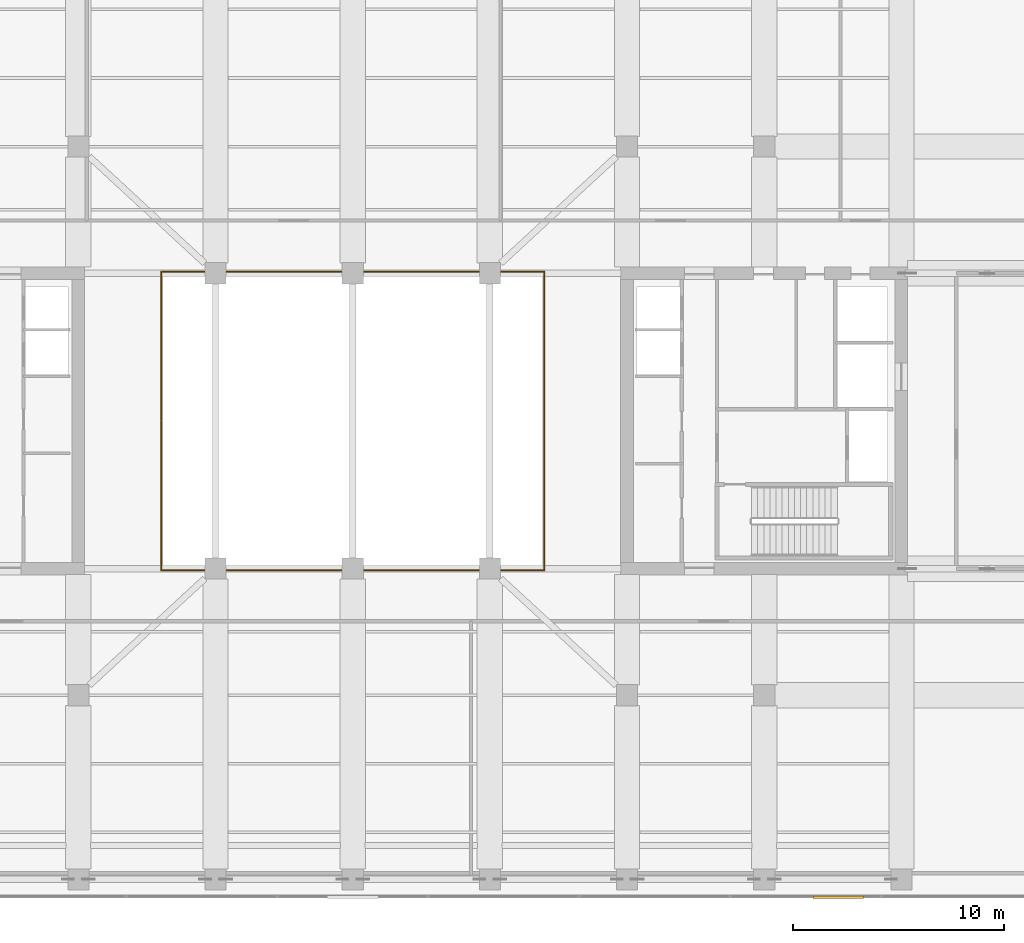
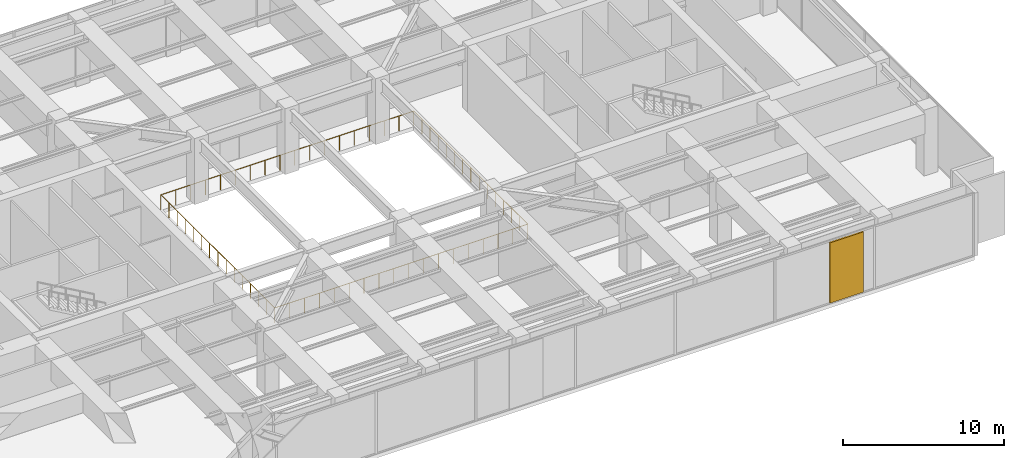
# One storey, part 26 of 28: 2 railings, 1 shading device.
"""IFC4 building model written with IfcOpenShell, lengths in metres."""

from ifc_helpers import new_model, si_unit, direction, frame, origin, origin_2d, place, context, subcontext, project, spatial, rectangle, circle, extrude, material, layer, layer_set, type_object, element, save


model = new_model("IFC4")

# Units and contexts
model_context = context("Model", 3, precision=1e-05, world=origin(), true_north=direction((0.0, 1.0)))
body_context = subcontext(model_context, "Body", "Model", "MODEL_VIEW")
ifc_project = project(units=[si_unit("LENGTHUNIT", "METRE"), si_unit("AREAUNIT", "SQUARE_METRE"), si_unit("VOLUMEUNIT", "CUBIC_METRE"), si_unit("PLANEANGLEUNIT", "RADIAN"), si_unit("MASSUNIT", "GRAM", prefix="KILO")], contexts=[model_context])

# Site, building, storey
site_placement = place(None, origin())
site = spatial("IfcSite", under=ifc_project, at=site_placement, CompositionType="ELEMENT")
building_placement = place(site_placement, origin())
building = spatial("IfcBuilding", under=site, at=building_placement, Name="Putna Gate Headquarters", CompositionType="ELEMENT")
storey_placement = place(building_placement, frame((0.0, 0.0, 197.39990234375)))
storey = spatial("IfcBuildingStorey", under=building, at=storey_placement, Name="L49", CompositionType="ELEMENT", Elevation=197.39990234375)

# Railings
ifc_material_1 = material(Name="Anodised bronze and laminated glass atrium balustrade", Category="glass")
railing_type = type_object("IfcRailingType", Name="RAIL-ATRIUM-GUARD-1150", PredefinedType="GUARDRAIL", material=ifc_material_1)
railing_1_placement = place(storey_placement, frame((29.919921875, 25.969970703125, 0.0)))
element("IfcRailing", 1, at=railing_1_placement, inside=storey, type_object=railing_type, Name="L49 Central Atrium Glazed Balustrade South", PredefinedType="GUARDRAIL", context=body_context, shape_type="SweptSolid", body=[
    extrude(circle(Radius=0.02392578125, at=origin_2d()), frame((0.0, 0.0, 1.1259765625), z_axis=(0.0, -1.0, 0.0), x_axis=(1.0, 0.0, 0.0)), (0.0, 0.0, 1.0), 7.050048828125),
    extrude(circle(Radius=0.02392578125, at=origin_2d()), frame((0.0, -7.050048828125, 1.1259765625), z_axis=(1.0, 0.0, 0.0), x_axis=(0.0, 1.0, 0.0)), (0.0, 0.0, 1.0), 18.16015625),
    extrude(circle(Radius=0.02392578125, at=origin_2d()), frame((18.16015625, -7.050048828125, 1.1259765625), z_axis=(0.0, 1.0, 0.0), x_axis=(-1.0, 0.0, 0.0)), (0.0, 0.0, 1.0), 7.050048828125),
    extrude(circle(Radius=0.02099609375, at=origin_2d()), origin(), (0.0, 0.0, 1.0), 1.101806640625),
    extrude(circle(Radius=0.02099609375, at=origin_2d()), frame((0.0, -1.007080078125, 0.0)), (0.0, 0.0, 1.0), 1.101806640625),
    extrude(circle(Radius=0.02099609375, at=origin_2d()), frame((0.0, -2.014404296875, 0.0)), (0.0, 0.0, 1.0), 1.101806640625),
    extrude(circle(Radius=0.02099609375, at=origin_2d()), frame((0.0, -3.021484375, 0.0)), (0.0, 0.0, 1.0), 1.101806640625),
    extrude(circle(Radius=0.02099609375, at=origin_2d()), frame((0.0, -4.028564453125, 0.0)), (0.0, 0.0, 1.0), 1.101806640625),
    extrude(circle(Radius=0.02099609375, at=origin_2d()), frame((0.0, -5.03564453125, 0.0)), (0.0, 0.0, 1.0), 1.101806640625),
    extrude(circle(Radius=0.02099609375, at=origin_2d()), frame((0.0, -6.04296875, 0.0)), (0.0, 0.0, 1.0), 1.101806640625),
    extrude(circle(Radius=0.02099609375, at=origin_2d()), frame((0.0, -7.050048828125, 0.0)), (0.0, 0.0, 1.0), 1.101806640625),
    extrude(circle(Radius=0.02099609375, at=origin_2d()), frame((1.068359375, -7.050048828125, 0.0)), (0.0, 0.0, 1.0), 1.101806640625),
    extrude(circle(Radius=0.02099609375, at=origin_2d()), frame((2.136474609375, -7.050048828125, 0.0)), (0.0, 0.0, 1.0), 1.101806640625),
    extrude(circle(Radius=0.02099609375, at=origin_2d()), frame((3.204833984375, -7.050048828125, 0.0)), (0.0, 0.0, 1.0), 1.101806640625),
    extrude(circle(Radius=0.02099609375, at=origin_2d()), frame((4.27294921875, -7.050048828125, 0.0)), (0.0, 0.0, 1.0), 1.101806640625),
    extrude(circle(Radius=0.02099609375, at=origin_2d()), frame((5.34130859375, -7.050048828125, 0.0)), (0.0, 0.0, 1.0), 1.101806640625),
    extrude(circle(Radius=0.02099609375, at=origin_2d()), frame((6.409423828125, -7.050048828125, 0.0)), (0.0, 0.0, 1.0), 1.101806640625),
    extrude(circle(Radius=0.02099609375, at=origin_2d()), frame((7.477783203125, -7.050048828125, 0.0)), (0.0, 0.0, 1.0), 1.101806640625),
    extrude(circle(Radius=0.02099609375, at=origin_2d()), frame((8.5458984375, -7.050048828125, 0.0)), (0.0, 0.0, 1.0), 1.101806640625),
    extrude(circle(Radius=0.02099609375, at=origin_2d()), frame((9.6142578125, -7.050048828125, 0.0)), (0.0, 0.0, 1.0), 1.101806640625),
    extrude(circle(Radius=0.02099609375, at=origin_2d()), frame((10.682373046875, -7.050048828125, 0.0)), (0.0, 0.0, 1.0), 1.101806640625),
    extrude(circle(Radius=0.02099609375, at=origin_2d()), frame((11.750732421875, -7.050048828125, 0.0)), (0.0, 0.0, 1.0), 1.101806640625),
    extrude(circle(Radius=0.02099609375, at=origin_2d()), frame((12.81884765625, -7.050048828125, 0.0)), (0.0, 0.0, 1.0), 1.101806640625),
    extrude(circle(Radius=0.02099609375, at=origin_2d()), frame((13.88720703125, -7.050048828125, 0.0)), (0.0, 0.0, 1.0), 1.101806640625),
    extrude(circle(Radius=0.02099609375, at=origin_2d()), frame((14.955322265625, -7.050048828125, 0.0)), (0.0, 0.0, 1.0), 1.101806640625),
    extrude(circle(Radius=0.02099609375, at=origin_2d()), frame((16.023681640625, -7.050048828125, 0.0)), (0.0, 0.0, 1.0), 1.101806640625),
    extrude(circle(Radius=0.02099609375, at=origin_2d()), frame((17.091796875, -7.050048828125, 0.0)), (0.0, 0.0, 1.0), 1.101806640625),
    extrude(circle(Radius=0.02099609375, at=origin_2d()), frame((18.16015625, -7.050048828125, 0.0)), (0.0, 0.0, 1.0), 1.101806640625),
    extrude(circle(Radius=0.02099609375, at=origin_2d()), frame((18.16015625, -6.04296875, 0.0)), (0.0, 0.0, 1.0), 1.101806640625),
    extrude(circle(Radius=0.02099609375, at=origin_2d()), frame((18.16015625, -5.03564453125, 0.0)), (0.0, 0.0, 1.0), 1.101806640625),
    extrude(circle(Radius=0.02099609375, at=origin_2d()), frame((18.16015625, -4.028564453125, 0.0)), (0.0, 0.0, 1.0), 1.101806640625),
    extrude(circle(Radius=0.02099609375, at=origin_2d()), frame((18.16015625, -3.021484375, 0.0)), (0.0, 0.0, 1.0), 1.101806640625),
    extrude(circle(Radius=0.02099609375, at=origin_2d()), frame((18.16015625, -2.014404296875, 0.0)), (0.0, 0.0, 1.0), 1.101806640625),
    extrude(circle(Radius=0.02099609375, at=origin_2d()), frame((18.16015625, -1.007080078125, 0.0)), (0.0, 0.0, 1.0), 1.101806640625),
    extrude(circle(Radius=0.02099609375, at=origin_2d()), frame((18.16015625, 0.0, 0.0)), (0.0, 0.0, 1.0), 1.101806640625),
])
railing_2_placement = place(storey_placement, frame((48.080078125, 26.030029296875, 0.0)))
element("IfcRailing", 2, at=railing_2_placement, inside=storey, type_object=railing_type, Name="L49 Central Atrium Glazed Balustrade North", PredefinedType="GUARDRAIL", context=body_context, shape_type="SweptSolid", body=[
    extrude(circle(Radius=0.02392578125, at=origin_2d()), frame((0.0, 0.0, 1.1259765625), z_axis=(0.0, 1.0, 0.0), x_axis=(-1.0, 0.0, 0.0)), (0.0, 0.0, 1.0), 7.050048828125),
    extrude(circle(Radius=0.02392578125, at=origin_2d()), frame((0.0, 7.050048828125, 1.1259765625), z_axis=(-1.0, 0.0, 0.0), x_axis=(0.0, -1.0, 0.0)), (0.0, 0.0, 1.0), 18.16015625),
    extrude(circle(Radius=0.02392578125, at=origin_2d()), frame((-18.16015625, 7.050048828125, 1.1259765625), z_axis=(0.0, -1.0, 0.0), x_axis=(1.0, 0.0, 0.0)), (0.0, 0.0, 1.0), 7.050048828125),
    extrude(circle(Radius=0.02099609375, at=origin_2d()), origin(), (0.0, 0.0, 1.0), 1.101806640625),
    extrude(circle(Radius=0.02099609375, at=origin_2d()), frame((0.0, 1.007080078125, 0.0)), (0.0, 0.0, 1.0), 1.101806640625),
    extrude(circle(Radius=0.02099609375, at=origin_2d()), frame((0.0, 2.014404296875, 0.0)), (0.0, 0.0, 1.0), 1.101806640625),
    extrude(circle(Radius=0.02099609375, at=origin_2d()), frame((0.0, 3.021484375, 0.0)), (0.0, 0.0, 1.0), 1.101806640625),
    extrude(circle(Radius=0.02099609375, at=origin_2d()), frame((0.0, 4.028564453125, 0.0)), (0.0, 0.0, 1.0), 1.101806640625),
    extrude(circle(Radius=0.02099609375, at=origin_2d()), frame((0.0, 5.03564453125, 0.0)), (0.0, 0.0, 1.0), 1.101806640625),
    extrude(circle(Radius=0.02099609375, at=origin_2d()), frame((0.0, 6.04296875, 0.0)), (0.0, 0.0, 1.0), 1.101806640625),
    extrude(circle(Radius=0.02099609375, at=origin_2d()), frame((0.0, 7.050048828125, 0.0)), (0.0, 0.0, 1.0), 1.101806640625),
    extrude(circle(Radius=0.02099609375, at=origin_2d()), frame((-1.068359375, 7.050048828125, 0.0)), (0.0, 0.0, 1.0), 1.101806640625),
    extrude(circle(Radius=0.02099609375, at=origin_2d()), frame((-2.136474609375, 7.050048828125, 0.0)), (0.0, 0.0, 1.0), 1.101806640625),
    extrude(circle(Radius=0.02099609375, at=origin_2d()), frame((-3.204833984375, 7.050048828125, 0.0)), (0.0, 0.0, 1.0), 1.101806640625),
    extrude(circle(Radius=0.02099609375, at=origin_2d()), frame((-4.27294921875, 7.050048828125, 0.0)), (0.0, 0.0, 1.0), 1.101806640625),
    extrude(circle(Radius=0.02099609375, at=origin_2d()), frame((-5.34130859375, 7.050048828125, 0.0)), (0.0, 0.0, 1.0), 1.101806640625),
    extrude(circle(Radius=0.02099609375, at=origin_2d()), frame((-6.409423828125, 7.050048828125, 0.0)), (0.0, 0.0, 1.0), 1.101806640625),
    extrude(circle(Radius=0.02099609375, at=origin_2d()), frame((-7.477783203125, 7.050048828125, 0.0)), (0.0, 0.0, 1.0), 1.101806640625),
    extrude(circle(Radius=0.02099609375, at=origin_2d()), frame((-8.5458984375, 7.050048828125, 0.0)), (0.0, 0.0, 1.0), 1.101806640625),
    extrude(circle(Radius=0.02099609375, at=origin_2d()), frame((-9.6142578125, 7.050048828125, 0.0)), (0.0, 0.0, 1.0), 1.101806640625),
    extrude(circle(Radius=0.02099609375, at=origin_2d()), frame((-10.682373046875, 7.050048828125, 0.0)), (0.0, 0.0, 1.0), 1.101806640625),
    extrude(circle(Radius=0.02099609375, at=origin_2d()), frame((-11.750732421875, 7.050048828125, 0.0)), (0.0, 0.0, 1.0), 1.101806640625),
    extrude(circle(Radius=0.02099609375, at=origin_2d()), frame((-12.81884765625, 7.050048828125, 0.0)), (0.0, 0.0, 1.0), 1.101806640625),
    extrude(circle(Radius=0.02099609375, at=origin_2d()), frame((-13.88720703125, 7.050048828125, 0.0)), (0.0, 0.0, 1.0), 1.101806640625),
    extrude(circle(Radius=0.02099609375, at=origin_2d()), frame((-14.955322265625, 7.050048828125, 0.0)), (0.0, 0.0, 1.0), 1.101806640625),
    extrude(circle(Radius=0.02099609375, at=origin_2d()), frame((-16.023681640625, 7.050048828125, 0.0)), (0.0, 0.0, 1.0), 1.101806640625),
    extrude(circle(Radius=0.02099609375, at=origin_2d()), frame((-17.091796875, 7.050048828125, 0.0)), (0.0, 0.0, 1.0), 1.101806640625),
    extrude(circle(Radius=0.02099609375, at=origin_2d()), frame((-18.16015625, 7.050048828125, 0.0)), (0.0, 0.0, 1.0), 1.101806640625),
    extrude(circle(Radius=0.02099609375, at=origin_2d()), frame((-18.16015625, 6.04296875, 0.0)), (0.0, 0.0, 1.0), 1.101806640625),
    extrude(circle(Radius=0.02099609375, at=origin_2d()), frame((-18.16015625, 5.03564453125, 0.0)), (0.0, 0.0, 1.0), 1.101806640625),
    extrude(circle(Radius=0.02099609375, at=origin_2d()), frame((-18.16015625, 4.028564453125, 0.0)), (0.0, 0.0, 1.0), 1.101806640625),
    extrude(circle(Radius=0.02099609375, at=origin_2d()), frame((-18.16015625, 3.021484375, 0.0)), (0.0, 0.0, 1.0), 1.101806640625),
    extrude(circle(Radius=0.02099609375, at=origin_2d()), frame((-18.16015625, 2.014404296875, 0.0)), (0.0, 0.0, 1.0), 1.101806640625),
    extrude(circle(Radius=0.02099609375, at=origin_2d()), frame((-18.16015625, 1.007080078125, 0.0)), (0.0, 0.0, 1.0), 1.101806640625),
    extrude(circle(Radius=0.02099609375, at=origin_2d()), frame((-18.16015625, 0.0, 0.0)), (0.0, 0.0, 1.0), 1.101806640625),
])

# Shading device
ifc_material_2 = material(Name="Anodised bronze acoustic weather louvre", Category="aluminium")
ifc_layer = layer(ifc_material_2, 0.1201171875)
ifc_layer_set = layer_set([ifc_layer], Name="Anodised bronze acoustic weather louvre")
shading_device_type = type_object("IfcShadingDeviceType", Name="SHADE-PLANT-LOUVRE", PredefinedType="JALOUSIE", material=ifc_layer_set)
shading_device_placement = place(storey_placement, frame((62.0, 3.429931640625, 0.10009765625), z_axis=(0.0, 0.0, 1.0), x_axis=(1.0, 0.0, 0.0)))
element("IfcShadingDevice", 3, at=shading_device_placement, inside=storey, type_object=shading_device_type, Name="L49 Bronze Acoustic Louvre S3", PredefinedType="JALOUSIE", context=body_context, shape_type="SweptSolid", body=[
    extrude(rectangle(XDim=2.39990234375, YDim=0.1201171875, at=origin_2d()), origin(), (0.0, 0.0, 1.0), 4.580078125),
])

save(model, "model.ifc")
